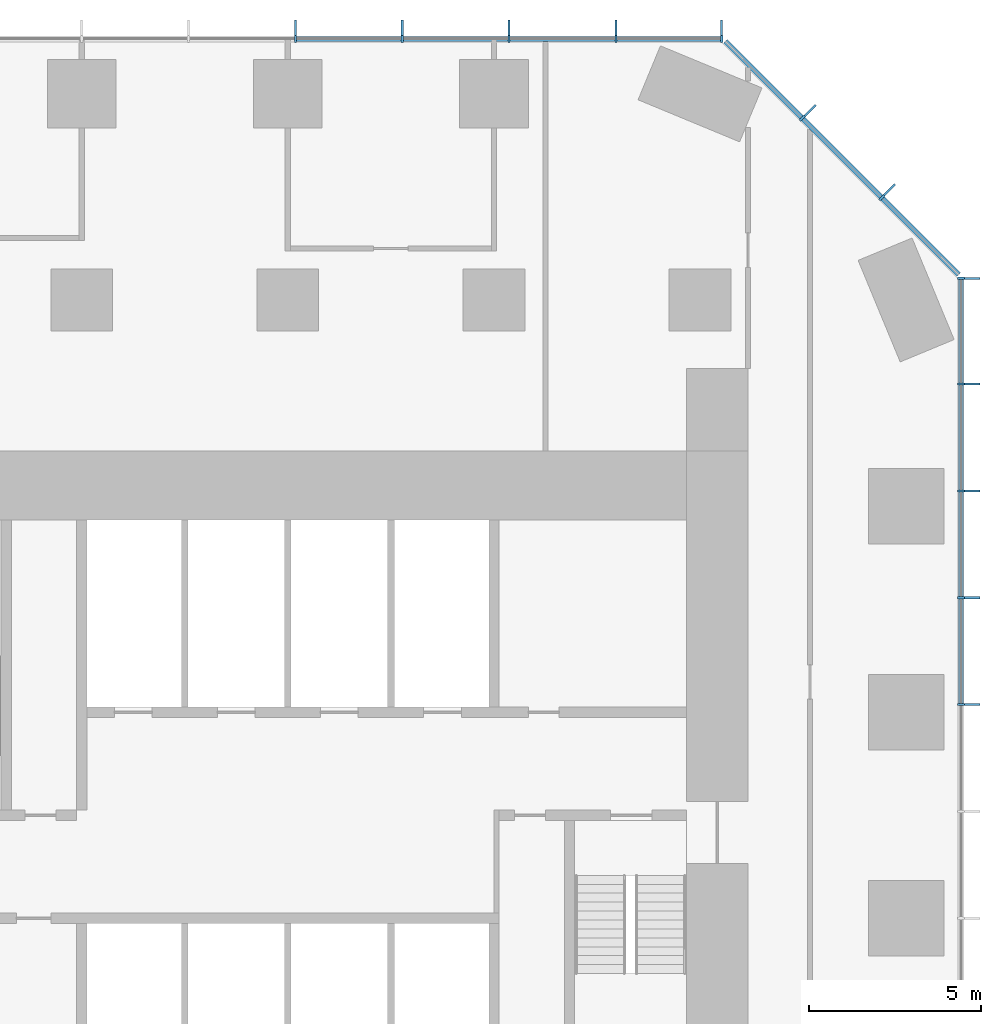
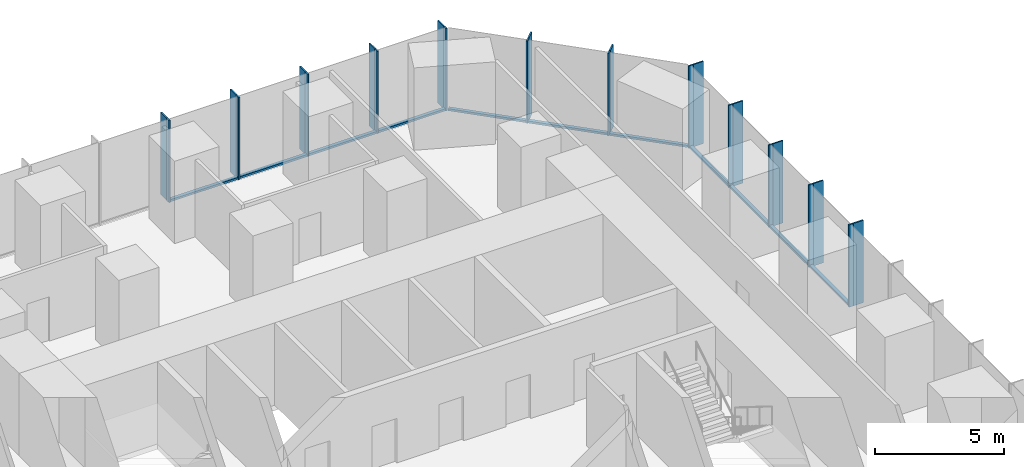
# One storey, part 6 of 11: 35 members, 3 elements without a shape of their own.
"""IFC4 building model written with IfcOpenShell, lengths in metres."""

from ifc_helpers import new_model, si_unit, direction, frame, origin, origin_2d, place, context, subcontext, project, spatial, rectangle, extrude, material, layer, layer_set, material_profile, profile_set, type_object, element, aggregate, save


model = new_model("IFC4")

# Units and contexts
model_context = context("Model", 3, precision=1e-05, world=origin(), true_north=direction((0.0, 1.0)))
body_context = subcontext(model_context, "Body", "Model", "MODEL_VIEW")
ifc_project = project(units=[si_unit("LENGTHUNIT", "METRE"), si_unit("AREAUNIT", "SQUARE_METRE"), si_unit("VOLUMEUNIT", "CUBIC_METRE"), si_unit("PLANEANGLEUNIT", "RADIAN"), si_unit("MASSUNIT", "GRAM", prefix="KILO")], contexts=[model_context])

# Site, building, storey
site_placement = place(None, origin())
site = spatial("IfcSite", under=ifc_project, at=site_placement, CompositionType="ELEMENT")
building_placement = place(site_placement, origin())
building = spatial("IfcBuilding", under=site, at=building_placement, Name="Highveld Stack Headquarters", CompositionType="ELEMENT")
storey_placement = place(building_placement, frame((0.0, 0.0, 29.89990234375)))
storey = spatial("IfcBuildingStorey", under=building, at=storey_placement, Name="L06", CompositionType="ELEMENT", Elevation=29.89990234375)

# Curtain wall, members
ifc_material_1 = material(Name="Aluminium bronze anodised", Category="aluminium")
ifc_layer_1 = layer(ifc_material_1, 0.199951171875)
ifc_layer_set_1 = layer_set([ifc_layer_1], Name="Aluminium bronze anodised")
curtain_wall_type_1 = type_object("IfcCurtainWallType", Name="CW1 TOWER UNITISED CURTAIN WALL", PredefinedType="NOTDEFINED", material=ifc_layer_set_1)
curtain_wall_1_placement = place(storey_placement, origin())
curtain_wall_1 = element("IfcCurtainWall", 1, at=curtain_wall_1_placement, inside=storey, type_object=curtain_wall_type_1, Name="Curtain wall CW1 L06 E", PredefinedType="NOTDEFINED")
ifc_material_2 = material(Name="Aluminium bronze anodised", Category="aluminium")
ifc_material_profile_1 = material_profile(ifc_material_2, rectangle(XDim=0.449951171875, YDim=0.06005859375, at=origin_2d()), Name="FIN 450x60")
ifc_profile_set_1 = profile_set([ifc_material_profile_1], Name="Aluminium bronze anodised")
member_type_1 = type_object("IfcMemberType", Name="CW1 BRONZE FIN 450x60", PredefinedType="USERDEFINED", material=ifc_profile_set_1)
member_1_placement = place(storey_placement, frame((25.925048828125, 6.220947265625, 0.0), z_axis=(0.0, 0.0, 1.0), x_axis=(-1.0, 0.0, 0.0)))
member_1 = element("IfcMember", 2, at=member_1_placement, type_object=member_type_1, Name="CW1 fin L06 9", ObjectType="FIN", PredefinedType="USERDEFINED", context=body_context, shape_type="SweptSolid", body=[
    extrude(rectangle(XDim=0.449951171875, YDim=0.06005859375, at=origin_2d()), origin(), (0.0, 0.0, 1.0), 3.900146484375),
])
member_2_placement = place(storey_placement, frame((25.925048828125, 9.331298828125, 0.0), z_axis=(0.0, 0.0, 1.0), x_axis=(-1.0, 0.0, 0.0)))
member_2 = element("IfcMember", 3, at=member_2_placement, type_object=member_type_1, Name="CW1 fin L06 10", ObjectType="FIN", PredefinedType="USERDEFINED", context=body_context, shape_type="SweptSolid", body=[
    extrude(rectangle(XDim=0.449951171875, YDim=0.06005859375, at=origin_2d()), origin(), (0.0, 0.0, 1.0), 3.900146484375),
])
member_3_placement = place(storey_placement, frame((25.925048828125, 12.44189453125, 0.0), z_axis=(0.0, 0.0, 1.0), x_axis=(-1.0, 0.0, 0.0)))
member_3 = element("IfcMember", 4, at=member_3_placement, type_object=member_type_1, Name="CW1 fin L06 11", ObjectType="FIN", PredefinedType="USERDEFINED", context=body_context, shape_type="SweptSolid", body=[
    extrude(rectangle(XDim=0.449951171875, YDim=0.06005859375, at=origin_2d()), origin(), (0.0, 0.0, 1.0), 3.900146484375),
])
member_4_placement = place(storey_placement, frame((25.925048828125, 15.55224609375, 0.0), z_axis=(0.0, 0.0, 1.0), x_axis=(-1.0, 0.0, 0.0)))
member_4 = element("IfcMember", 5, at=member_4_placement, type_object=member_type_1, Name="CW1 fin L06 12", ObjectType="FIN", PredefinedType="USERDEFINED", context=body_context, shape_type="SweptSolid", body=[
    extrude(rectangle(XDim=0.449951171875, YDim=0.06005859375, at=origin_2d()), origin(), (0.0, 0.0, 1.0), 3.900146484375),
])
member_5_placement = place(storey_placement, frame((25.925048828125, 18.630126953125, 0.0), z_axis=(0.0, 0.0, 1.0), x_axis=(-1.0, 0.0, 0.0)))
member_5 = element("IfcMember", 6, at=member_5_placement, type_object=member_type_1, Name="CW1 fin L06 13", ObjectType="FIN", PredefinedType="USERDEFINED", context=body_context, shape_type="SweptSolid", body=[
    extrude(rectangle(XDim=0.449951171875, YDim=0.06005859375, at=origin_2d()), origin(), (0.0, 0.0, 1.0), 3.900146484375),
])

curtain_wall_2_placement = place(storey_placement, origin())
curtain_wall_2 = element("IfcCurtainWall", 7, at=curtain_wall_2_placement, inside=storey, type_object=curtain_wall_type_1, Name="Curtain wall CW1 L06 N", PredefinedType="NOTDEFINED")
member_6_placement = place(storey_placement, frame((18.630126953125, 25.925048828125, 0.0), z_axis=(0.0, 0.0, 1.0), x_axis=(0.0, -1.0, 0.0)))
member_6 = element("IfcMember", 8, at=member_6_placement, type_object=member_type_1, Name="CW1 fin L06 1", ObjectType="FIN", PredefinedType="USERDEFINED", context=body_context, shape_type="SweptSolid", body=[
    extrude(rectangle(XDim=0.449951171875, YDim=0.06005859375, at=origin_2d()), origin(), (0.0, 0.0, 1.0), 3.900146484375),
])
member_7_placement = place(storey_placement, frame((15.55224609375, 25.925048828125, 0.0), z_axis=(0.0, 0.0, 1.0), x_axis=(0.0, -1.0, 0.0)))
member_7 = element("IfcMember", 9, at=member_7_placement, type_object=member_type_1, Name="CW1 fin L06 2", ObjectType="FIN", PredefinedType="USERDEFINED", context=body_context, shape_type="SweptSolid", body=[
    extrude(rectangle(XDim=0.449951171875, YDim=0.06005859375, at=origin_2d()), origin(), (0.0, 0.0, 1.0), 3.900146484375),
])
member_8_placement = place(storey_placement, frame((12.44189453125, 25.925048828125, 0.0), z_axis=(0.0, 0.0, 1.0), x_axis=(0.0, -1.0, 0.0)))
member_8 = element("IfcMember", 10, at=member_8_placement, type_object=member_type_1, Name="CW1 fin L06 3", ObjectType="FIN", PredefinedType="USERDEFINED", context=body_context, shape_type="SweptSolid", body=[
    extrude(rectangle(XDim=0.449951171875, YDim=0.06005859375, at=origin_2d()), origin(), (0.0, 0.0, 1.0), 3.900146484375),
])
member_9_placement = place(storey_placement, frame((9.331298828125, 25.925048828125, 0.0), z_axis=(0.0, 0.0, 1.0), x_axis=(0.0, -1.0, 0.0)))
member_9 = element("IfcMember", 11, at=member_9_placement, type_object=member_type_1, Name="CW1 fin L06 4", ObjectType="FIN", PredefinedType="USERDEFINED", context=body_context, shape_type="SweptSolid", body=[
    extrude(rectangle(XDim=0.449951171875, YDim=0.06005859375, at=origin_2d()), origin(), (0.0, 0.0, 1.0), 3.900146484375),
])
member_10_placement = place(storey_placement, frame((6.220947265625, 25.925048828125, 0.0), z_axis=(0.0, 0.0, 1.0), x_axis=(0.0, -1.0, 0.0)))
member_10 = element("IfcMember", 12, at=member_10_placement, type_object=member_type_1, Name="CW1 fin L06 5", ObjectType="FIN", PredefinedType="USERDEFINED", context=body_context, shape_type="SweptSolid", body=[
    extrude(rectangle(XDim=0.449951171875, YDim=0.06005859375, at=origin_2d()), origin(), (0.0, 0.0, 1.0), 3.900146484375),
])

# Member
ifc_material_3 = material(Name="Aluminium bronze anodised", Category="aluminium")
ifc_material_profile_2 = material_profile(ifc_material_3, rectangle(XDim=0.199951171875, YDim=0.06494140625, at=origin_2d()), Name="CW1 MULLION 65x200")
ifc_profile_set_2 = profile_set([ifc_material_profile_2], Name="Aluminium bronze anodised")
member_type_2 = type_object("IfcMemberType", Name="CW1 MULLION 65x200", PredefinedType="MULLION", material=ifc_profile_set_2)
member_11_placement = place(storey_placement, frame((25.60009765625, 6.220947265625, 0.0), z_axis=(0.0, 0.0, 1.0), x_axis=(-1.0, 0.0, 0.0)))
member_11 = element("IfcMember", 13, at=member_11_placement, type_object=member_type_2, Name="CW1 mullion L06 9", PredefinedType="MULLION", context=body_context, shape_type="SweptSolid", body=[
    extrude(rectangle(XDim=0.199951171875, YDim=0.06494140625, at=origin_2d()), origin(), (0.0, 0.0, 1.0), 3.900146484375),
])

member_12_placement = place(storey_placement, frame((25.60009765625, 9.331298828125, 0.0), z_axis=(0.0, 0.0, 1.0), x_axis=(-1.0, 0.0, 0.0)))
member_12 = element("IfcMember", 14, at=member_12_placement, type_object=member_type_2, Name="CW1 mullion L06 10", PredefinedType="MULLION", context=body_context, shape_type="SweptSolid", body=[
    extrude(rectangle(XDim=0.199951171875, YDim=0.06494140625, at=origin_2d()), origin(), (0.0, 0.0, 1.0), 3.900146484375),
])

member_13_placement = place(storey_placement, frame((25.60009765625, 12.44189453125, 0.0), z_axis=(0.0, 0.0, 1.0), x_axis=(-1.0, 0.0, 0.0)))
member_13 = element("IfcMember", 15, at=member_13_placement, type_object=member_type_2, Name="CW1 mullion L06 11", PredefinedType="MULLION", context=body_context, shape_type="SweptSolid", body=[
    extrude(rectangle(XDim=0.199951171875, YDim=0.06494140625, at=origin_2d()), origin(), (0.0, 0.0, 1.0), 3.900146484375),
])

member_14_placement = place(storey_placement, frame((25.60009765625, 15.55224609375, 0.0), z_axis=(0.0, 0.0, 1.0), x_axis=(-1.0, 0.0, 0.0)))
member_14 = element("IfcMember", 16, at=member_14_placement, type_object=member_type_2, Name="CW1 mullion L06 12", PredefinedType="MULLION", context=body_context, shape_type="SweptSolid", body=[
    extrude(rectangle(XDim=0.199951171875, YDim=0.06494140625, at=origin_2d()), origin(), (0.0, 0.0, 1.0), 3.900146484375),
])

member_15_placement = place(storey_placement, frame((25.60009765625, 18.630126953125, 0.0), z_axis=(0.0, 0.0, 1.0), x_axis=(-1.0, 0.0, 0.0)))
member_15 = element("IfcMember", 17, at=member_15_placement, type_object=member_type_2, Name="CW1 mullion L06 13", PredefinedType="MULLION", context=body_context, shape_type="SweptSolid", body=[
    extrude(rectangle(XDim=0.199951171875, YDim=0.06494140625, at=origin_2d()), origin(), (0.0, 0.0, 1.0), 3.900146484375),
])

member_16_placement = place(storey_placement, frame((18.630126953125, 25.60009765625, 0.0), z_axis=(0.0, 0.0, 1.0), x_axis=(0.0, -1.0, 0.0)))
member_16 = element("IfcMember", 18, at=member_16_placement, type_object=member_type_2, Name="CW1 mullion L06 1", PredefinedType="MULLION", context=body_context, shape_type="SweptSolid", body=[
    extrude(rectangle(XDim=0.199951171875, YDim=0.06494140625, at=origin_2d()), origin(), (0.0, 0.0, 1.0), 3.900146484375),
])

member_17_placement = place(storey_placement, frame((15.55224609375, 25.60009765625, 0.0), z_axis=(0.0, 0.0, 1.0), x_axis=(0.0, -1.0, 0.0)))
member_17 = element("IfcMember", 19, at=member_17_placement, type_object=member_type_2, Name="CW1 mullion L06 2", PredefinedType="MULLION", context=body_context, shape_type="SweptSolid", body=[
    extrude(rectangle(XDim=0.199951171875, YDim=0.06494140625, at=origin_2d()), origin(), (0.0, 0.0, 1.0), 3.900146484375),
])

member_18_placement = place(storey_placement, frame((12.44189453125, 25.60009765625, 0.0), z_axis=(0.0, 0.0, 1.0), x_axis=(0.0, -1.0, 0.0)))
member_18 = element("IfcMember", 20, at=member_18_placement, type_object=member_type_2, Name="CW1 mullion L06 3", PredefinedType="MULLION", context=body_context, shape_type="SweptSolid", body=[
    extrude(rectangle(XDim=0.199951171875, YDim=0.06494140625, at=origin_2d()), origin(), (0.0, 0.0, 1.0), 3.900146484375),
])

member_19_placement = place(storey_placement, frame((9.331298828125, 25.60009765625, 0.0), z_axis=(0.0, 0.0, 1.0), x_axis=(0.0, -1.0, 0.0)))
member_19 = element("IfcMember", 21, at=member_19_placement, type_object=member_type_2, Name="CW1 mullion L06 4", PredefinedType="MULLION", context=body_context, shape_type="SweptSolid", body=[
    extrude(rectangle(XDim=0.199951171875, YDim=0.06494140625, at=origin_2d()), origin(), (0.0, 0.0, 1.0), 3.900146484375),
])

member_20_placement = place(storey_placement, frame((6.220947265625, 25.60009765625, 0.0), z_axis=(0.0, 0.0, 1.0), x_axis=(0.0, -1.0, 0.0)))
member_20 = element("IfcMember", 22, at=member_20_placement, type_object=member_type_2, Name="CW1 mullion L06 5", PredefinedType="MULLION", context=body_context, shape_type="SweptSolid", body=[
    extrude(rectangle(XDim=0.199951171875, YDim=0.06494140625, at=origin_2d()), origin(), (0.0, 0.0, 1.0), 3.900146484375),
])

ifc_material_4 = material(Name="Aluminium bronze anodised", Category="aluminium")
ifc_material_profile_3 = material_profile(ifc_material_4, rectangle(XDim=0.14990234375, YDim=0.10009765625, at=origin_2d()), Name="CW1 TRANSOM 150x100")
ifc_profile_set_3 = profile_set([ifc_material_profile_3], Name="Aluminium bronze anodised")
member_type_3 = type_object("IfcMemberType", Name="CW1 STACK TRANSOM 150x100", PredefinedType="USERDEFINED", material=ifc_profile_set_3)
member_21_placement = place(storey_placement, frame((25.60009765625, 6.25341796875, 0.050048828125), z_axis=(0.0, 1.0, 0.0), x_axis=(-1.0, 0.0, 0.0)))
member_21 = element("IfcMember", 23, at=member_21_placement, type_object=member_type_3, Name="CW1 transom L06 9.1", ObjectType="TRANSOM", PredefinedType="USERDEFINED", context=body_context, shape_type="SweptSolid", body=[
    extrude(rectangle(XDim=0.14990234375, YDim=0.10009765625, at=origin_2d()), origin(), (0.0, 0.0, 1.0), 3.04541015625),
])

member_22_placement = place(storey_placement, frame((25.60009765625, 9.36376953125, 0.050048828125), z_axis=(0.0, 1.0, 0.0), x_axis=(-1.0, 0.0, 0.0)))
member_22 = element("IfcMember", 24, at=member_22_placement, type_object=member_type_3, Name="CW1 transom L06 10.1", ObjectType="TRANSOM", PredefinedType="USERDEFINED", context=body_context, shape_type="SweptSolid", body=[
    extrude(rectangle(XDim=0.14990234375, YDim=0.10009765625, at=origin_2d()), origin(), (0.0, 0.0, 1.0), 3.04541015625),
])

member_23_placement = place(storey_placement, frame((25.60009765625, 12.474365234375, 0.050048828125), z_axis=(0.0, 1.0, 0.0), x_axis=(-1.0, 0.0, 0.0)))
member_23 = element("IfcMember", 25, at=member_23_placement, type_object=member_type_3, Name="CW1 transom L06 11.1", ObjectType="TRANSOM", PredefinedType="USERDEFINED", context=body_context, shape_type="SweptSolid", body=[
    extrude(rectangle(XDim=0.14990234375, YDim=0.10009765625, at=origin_2d()), origin(), (0.0, 0.0, 1.0), 3.04541015625),
])

member_24_placement = place(storey_placement, frame((25.60009765625, 15.584716796875, 0.050048828125), z_axis=(0.0, 1.0, 0.0), x_axis=(-1.0, 0.0, 0.0)))
member_24 = element("IfcMember", 26, at=member_24_placement, type_object=member_type_3, Name="CW1 transom L06 12.1", ObjectType="TRANSOM", PredefinedType="USERDEFINED", context=body_context, shape_type="SweptSolid", body=[
    extrude(rectangle(XDim=0.14990234375, YDim=0.10009765625, at=origin_2d()), origin(), (0.0, 0.0, 1.0), 3.012939453125),
])

aggregate(curtain_wall_1, [member_11, member_1, member_12, member_2, member_13, member_3, member_14, member_4, member_15, member_5, member_21, member_22, member_23, member_24])

member_25_placement = place(storey_placement, frame((18.59765625, 25.60009765625, 0.050048828125), z_axis=(-1.0, 0.0, 0.0), x_axis=(0.0, -1.0, 0.0)))
member_25 = element("IfcMember", 27, at=member_25_placement, type_object=member_type_3, Name="CW1 transom L06 1.1", ObjectType="TRANSOM", PredefinedType="USERDEFINED", context=body_context, shape_type="SweptSolid", body=[
    extrude(rectangle(XDim=0.14990234375, YDim=0.10009765625, at=origin_2d()), origin(), (0.0, 0.0, 1.0), 3.012939453125),
])

member_26_placement = place(storey_placement, frame((15.519775390625, 25.60009765625, 0.050048828125), z_axis=(-1.0, 0.0, 0.0), x_axis=(0.0, -1.0, 0.0)))
member_26 = element("IfcMember", 28, at=member_26_placement, type_object=member_type_3, Name="CW1 transom L06 2.1", ObjectType="TRANSOM", PredefinedType="USERDEFINED", context=body_context, shape_type="SweptSolid", body=[
    extrude(rectangle(XDim=0.14990234375, YDim=0.10009765625, at=origin_2d()), origin(), (0.0, 0.0, 1.0), 3.04541015625),
])

member_27_placement = place(storey_placement, frame((12.4091796875, 25.60009765625, 0.050048828125), z_axis=(-1.0, 0.0, 0.0), x_axis=(0.0, -1.0, 0.0)))
member_27 = element("IfcMember", 29, at=member_27_placement, type_object=member_type_3, Name="CW1 transom L06 3.1", ObjectType="TRANSOM", PredefinedType="USERDEFINED", context=body_context, shape_type="SweptSolid", body=[
    extrude(rectangle(XDim=0.14990234375, YDim=0.10009765625, at=origin_2d()), origin(), (0.0, 0.0, 1.0), 3.045166015625),
])

member_28_placement = place(storey_placement, frame((9.298828125, 25.60009765625, 0.050048828125), z_axis=(-1.0, 0.0, 0.0), x_axis=(0.0, -1.0, 0.0)))
member_28 = element("IfcMember", 30, at=member_28_placement, type_object=member_type_3, Name="CW1 transom L06 4.1", ObjectType="TRANSOM", PredefinedType="USERDEFINED", context=body_context, shape_type="SweptSolid", body=[
    extrude(rectangle(XDim=0.14990234375, YDim=0.10009765625, at=origin_2d()), origin(), (0.0, 0.0, 1.0), 3.04541015625),
])

aggregate(curtain_wall_2, [member_16, member_6, member_17, member_7, member_18, member_8, member_19, member_9, member_20, member_10, member_25, member_26, member_27, member_28])

# Curtain wall, members
ifc_material_5 = material(Name="Aluminium bronze anodised", Category="aluminium")
ifc_layer_2 = layer(ifc_material_5, 0.199951171875)
ifc_layer_set_2 = layer_set([ifc_layer_2], Name="Aluminium bronze anodised")
curtain_wall_type_2 = type_object("IfcCurtainWallType", Name="CW2 TOWER CHAMFER UNITISED CURTAIN WALL", PredefinedType="NOTDEFINED", material=ifc_layer_set_2)
curtain_wall_3_placement = place(storey_placement, origin())
curtain_wall_3 = element("IfcCurtainWall", 31, at=curtain_wall_3_placement, inside=storey, type_object=curtain_wall_type_2, Name="Curtain wall CW2 L06 NE", PredefinedType="NOTDEFINED")
ifc_material_6 = material(Name="Aluminium bronze anodised", Category="aluminium")
ifc_material_profile_4 = material_profile(ifc_material_6, rectangle(XDim=0.449951171875, YDim=0.06005859375, at=origin_2d()), Name="FIN 450x60")
ifc_profile_set_4 = profile_set([ifc_material_profile_4], Name="Aluminium bronze anodised")
member_type_4 = type_object("IfcMemberType", Name="CW2 BRONZE FIN 450x60", PredefinedType="USERDEFINED", material=ifc_profile_set_4)
member_29_placement = place(storey_placement, frame((23.517333984375, 21.204833984375, 0.0), z_axis=(0.0, 0.0, 1.0), x_axis=(-0.707106781187, -0.707106781187, 0.0)))
member_29 = element("IfcMember", 32, at=member_29_placement, type_object=member_type_4, Name="CW2 fin L06 1", ObjectType="FIN", PredefinedType="USERDEFINED", context=body_context, shape_type="SweptSolid", body=[
    extrude(rectangle(XDim=0.449951171875, YDim=0.06005859375, at=origin_2d()), origin(), (0.0, 0.0, 1.0), 3.900146484375),
])
member_30_placement = place(storey_placement, frame((21.204833984375, 23.517333984375, 0.0), z_axis=(0.0, 0.0, 1.0), x_axis=(-0.707106781187, -0.707106781187, 0.0)))
member_30 = element("IfcMember", 33, at=member_30_placement, type_object=member_type_4, Name="CW2 fin L06 2", ObjectType="FIN", PredefinedType="USERDEFINED", context=body_context, shape_type="SweptSolid", body=[
    extrude(rectangle(XDim=0.449951171875, YDim=0.06005859375, at=origin_2d()), origin(), (0.0, 0.0, 1.0), 3.900146484375),
])
ifc_material_7 = material(Name="Aluminium bronze anodised", Category="aluminium")
ifc_material_profile_5 = material_profile(ifc_material_7, rectangle(XDim=0.199951171875, YDim=0.06494140625, at=origin_2d()), Name="CW2 MULLION 65x200")
ifc_profile_set_5 = profile_set([ifc_material_profile_5], Name="Aluminium bronze anodised")
member_type_5 = type_object("IfcMemberType", Name="CW2 MULLION 65x200", PredefinedType="MULLION", material=ifc_profile_set_5)
member_31_placement = place(storey_placement, frame((23.28759765625, 20.97509765625, 0.0), z_axis=(0.0, 0.0, 1.0), x_axis=(-0.707106781187, -0.707106781187, 0.0)))
member_31 = element("IfcMember", 34, at=member_31_placement, type_object=member_type_5, Name="CW2 mullion L06 1", PredefinedType="MULLION", context=body_context, shape_type="SweptSolid", body=[
    extrude(rectangle(XDim=0.199951171875, YDim=0.06494140625, at=origin_2d()), origin(), (0.0, 0.0, 1.0), 3.900146484375),
])
member_32_placement = place(storey_placement, frame((20.97509765625, 23.28759765625, 0.0), z_axis=(0.0, 0.0, 1.0), x_axis=(-0.707106781187, -0.707106781187, 0.0)))
member_32 = element("IfcMember", 35, at=member_32_placement, type_object=member_type_5, Name="CW2 mullion L06 2", PredefinedType="MULLION", context=body_context, shape_type="SweptSolid", body=[
    extrude(rectangle(XDim=0.199951171875, YDim=0.06494140625, at=origin_2d()), origin(), (0.0, 0.0, 1.0), 3.900146484375),
])
ifc_material_8 = material(Name="Aluminium bronze anodised", Category="aluminium")
ifc_material_profile_6 = material_profile(ifc_material_8, rectangle(XDim=0.14990234375, YDim=0.10009765625, at=origin_2d()), Name="CW2 TRANSOM 150x100")
ifc_profile_set_6 = profile_set([ifc_material_profile_6], Name="Aluminium bronze anodised")
member_type_6 = type_object("IfcMemberType", Name="CW2 STACK TRANSOM 150x100", PredefinedType="USERDEFINED", material=ifc_profile_set_6)
member_33_placement = place(storey_placement, frame((25.529296875, 18.7333984375, 0.050048828125), z_axis=(-0.707106781187, 0.707106781187, 0.0), x_axis=(-0.707106781187, -0.707106781187, 0.0)))
member_33 = element("IfcMember", 36, at=member_33_placement, type_object=member_type_6, Name="CW2 transom L06 1.1", ObjectType="TRANSOM", PredefinedType="USERDEFINED", context=body_context, shape_type="SweptSolid", body=[
    extrude(rectangle(XDim=0.14990234375, YDim=0.10009765625, at=origin_2d()), origin(), (0.0, 0.0, 1.0), 3.1376953125),
])
member_34_placement = place(storey_placement, frame((23.2646484375, 20.998046875, 0.050048828125), z_axis=(-0.707106781187, 0.707106781187, 0.0), x_axis=(-0.707106781187, -0.707106781187, 0.0)))
member_34 = element("IfcMember", 37, at=member_34_placement, type_object=member_type_6, Name="CW2 transom L06 2.1", ObjectType="TRANSOM", PredefinedType="USERDEFINED", context=body_context, shape_type="SweptSolid", body=[
    extrude(rectangle(XDim=0.14990234375, YDim=0.10009765625, at=origin_2d()), origin(), (0.0, 0.0, 1.0), 3.20556640625),
])
member_35_placement = place(storey_placement, frame((20.9521484375, 23.310546875, 0.050048828125), z_axis=(-0.707106781187, 0.707106781187, 0.0), x_axis=(-0.707106781187, -0.707106781187, 0.0)))
member_35 = element("IfcMember", 38, at=member_35_placement, type_object=member_type_6, Name="CW2 transom L06 3.1", ObjectType="TRANSOM", PredefinedType="USERDEFINED", context=body_context, shape_type="SweptSolid", body=[
    extrude(rectangle(XDim=0.14990234375, YDim=0.10009765625, at=origin_2d()), origin(), (0.0, 0.0, 1.0), 3.1376953125),
])
aggregate(curtain_wall_3, [member_31, member_29, member_32, member_30, member_33, member_34, member_35])

save(model, "model.ifc")
